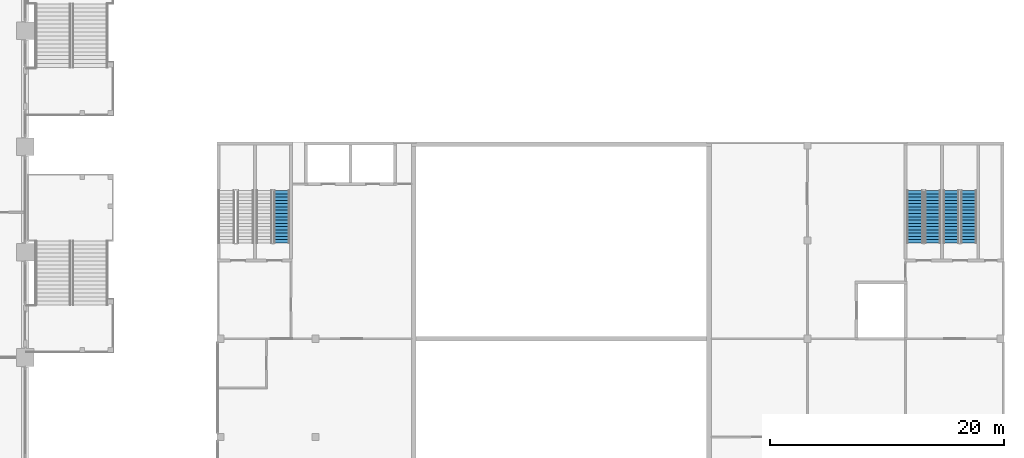
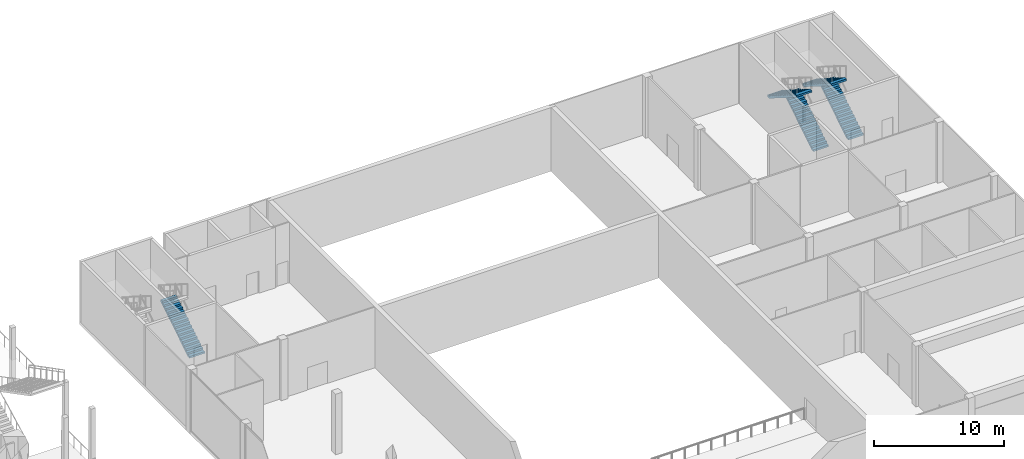
# One storey, part 34 of 49: 5 stair flights, 3 elements without a shape of their own.
"""IFC4 building model written with IfcOpenShell, lengths in metres."""

from ifc_helpers import new_model, si_unit, direction, frame, origin, place, context, subcontext, project, spatial, polyline, outline, extrude, material, type_object, element, aggregate, save


model = new_model("IFC4")

# Units and contexts
model_context = context("Model", 3, precision=1e-05, world=origin(), true_north=direction((0.0, 1.0)))
body_context = subcontext(model_context, "Body", "Model", "MODEL_VIEW")
ifc_project = project(units=[si_unit("LENGTHUNIT", "METRE"), si_unit("AREAUNIT", "SQUARE_METRE"), si_unit("VOLUMEUNIT", "CUBIC_METRE"), si_unit("PLANEANGLEUNIT", "RADIAN"), si_unit("MASSUNIT", "GRAM", prefix="KILO")], contexts=[model_context])

# Site, building, storey
site_placement = place(None, origin())
site = spatial("IfcSite", under=ifc_project, at=site_placement, CompositionType="ELEMENT")
building_placement = place(site_placement, origin())
building = spatial("IfcBuilding", under=site, at=building_placement, Name="Candeia Pilgrim Tower and Theatre", CompositionType="ELEMENT")
storey_placement = place(building_placement, frame((0.0, 0.0, 17.0)))
storey = spatial("IfcBuildingStorey", under=building, at=storey_placement, Name="L02", CompositionType="ELEMENT", Elevation=17.0)

# Stair, stair flight
ifc_material = material(Name="Concrete C35/45", Category="concrete")
stair_type = type_object("IfcStairType", Name="Theatre stair", PredefinedType="HALF_TURN_STAIR", material=ifc_material)
stair_1_placement = place(storey_placement, origin())
stair_1 = element("IfcStair", 1, at=stair_1_placement, inside=storey, type_object=stair_type, Name="L02 Theatre stair S2", PredefinedType="HALF_TURN_STAIR")
stair_flight_type = type_object("IfcStairFlightType", Name="Theatre stair flight", PredefinedType="STRAIGHT", material=ifc_material)
stair_flight_1_placement = place(storey_placement, frame((181.52490234375, 107.77490234375, 0.0), z_axis=(0.0, 0.0, 1.0), x_axis=(0.0, 1.0, 0.0)))
stair_flight_1 = element("IfcStairFlight", 2, at=stair_flight_1_placement, type_object=stair_flight_type, Name="TS2 flight 1", NumberOfRisers=17, NumberOfTreads=16, PredefinedType="STRAIGHT", RiserHeight=0.176470588, TreadLength=0.28, context=body_context, shape_type="SweptSolid", body=[
    extrude(outline(polyline([(0.0, 0.0), (0.0, 0.176513671875), (0.280029296875, 0.176513671875), (0.280029296875, 0.35302734375), (0.56005859375, 0.35302734375), (0.56005859375, 0.529296875), (0.840087890625, 0.529296875), (0.840087890625, 0.705810546875), (1.1201171875, 0.705810546875), (1.1201171875, 0.88232421875), (1.39990234375, 0.88232421875), (1.39990234375, 1.058837890625), (1.679931640625, 1.058837890625), (1.679931640625, 1.2353515625), (1.9599609375, 1.2353515625), (1.9599609375, 1.411865234375), (2.239990234375, 1.411865234375), (2.239990234375, 1.588134765625), (2.52001953125, 1.588134765625), (2.52001953125, 1.7646484375), (2.800048828125, 1.7646484375), (2.800048828125, 1.941162109375), (3.080078125, 1.941162109375), (3.080078125, 2.11767578125), (3.360107421875, 2.11767578125), (3.360107421875, 2.294189453125), (3.639892578125, 2.294189453125), (3.639892578125, 2.470703125), (3.919921875, 2.470703125), (3.919921875, 2.64697265625), (4.199951171875, 2.64697265625), (4.199951171875, 2.823486328125), (4.47998046875, 2.823486328125), (4.47998046875, 3.0), (4.47998046875, 2.646240234375), (0.28125, 0.0), (0.0, 0.0)])), frame((0.0, 0.675048828125, 0.0), z_axis=(0.0, -1.0, 0.0), x_axis=(1.0, 0.0, 0.0)), (0.0, 0.0, 1.0), 1.35009765625),
])
aggregate(stair_1, [stair_flight_1])

# Stair, stair flights
stair_2_placement = place(storey_placement, origin())
stair_2 = element("IfcStair", 3, at=stair_2_placement, inside=storey, type_object=stair_type, Name="L02 Theatre stair S3", PredefinedType="HALF_TURN_STAIR")
stair_flight_2_placement = place(storey_placement, frame((237.10009765625, 107.77490234375, 0.0), z_axis=(0.0, 0.0, 1.0), x_axis=(0.0, 1.0, 0.0)))
stair_flight_2 = element("IfcStairFlight", 4, at=stair_flight_2_placement, type_object=stair_flight_type, Name="TS3 flight 1", NumberOfRisers=17, NumberOfTreads=16, PredefinedType="STRAIGHT", RiserHeight=0.176470588, TreadLength=0.28, context=body_context, shape_type="SweptSolid", body=[
    extrude(outline(polyline([(0.0, 0.0), (0.0, 0.176513671875), (0.280029296875, 0.176513671875), (0.280029296875, 0.35302734375), (0.56005859375, 0.35302734375), (0.56005859375, 0.529296875), (0.840087890625, 0.529296875), (0.840087890625, 0.705810546875), (1.1201171875, 0.705810546875), (1.1201171875, 0.88232421875), (1.39990234375, 0.88232421875), (1.39990234375, 1.058837890625), (1.679931640625, 1.058837890625), (1.679931640625, 1.2353515625), (1.9599609375, 1.2353515625), (1.9599609375, 1.411865234375), (2.239990234375, 1.411865234375), (2.239990234375, 1.588134765625), (2.52001953125, 1.588134765625), (2.52001953125, 1.7646484375), (2.800048828125, 1.7646484375), (2.800048828125, 1.941162109375), (3.080078125, 1.941162109375), (3.080078125, 2.11767578125), (3.360107421875, 2.11767578125), (3.360107421875, 2.294189453125), (3.639892578125, 2.294189453125), (3.639892578125, 2.470703125), (3.919921875, 2.470703125), (3.919921875, 2.64697265625), (4.199951171875, 2.64697265625), (4.199951171875, 2.823486328125), (4.47998046875, 2.823486328125), (4.47998046875, 3.0), (4.47998046875, 2.646240234375), (0.28125, 0.0), (0.0, 0.0)])), frame((0.0, 0.675048828125, 0.0), z_axis=(0.0, -1.0, 0.0), x_axis=(1.0, 0.0, 0.0)), (0.0, 0.0, 1.0), 1.35009765625),
])
stair_flight_3_placement = place(storey_placement, frame((235.60009765625, 112.2548828125, 3.0), z_axis=(0.0, 0.0, 1.0), x_axis=(0.0, -1.0, 0.0)))
stair_flight_3 = element("IfcStairFlight", 5, at=stair_flight_3_placement, type_object=stair_flight_type, Name="TS3 flight 2", NumberOfRisers=17, NumberOfTreads=16, PredefinedType="STRAIGHT", RiserHeight=0.176470588, TreadLength=0.28, context=body_context, shape_type="SweptSolid", body=[
    extrude(outline(polyline([(0.0, 0.0), (0.0, 0.176513671875), (0.280029296875, 0.176513671875), (0.280029296875, 0.35302734375), (0.56005859375, 0.35302734375), (0.56005859375, 0.529296875), (0.840087890625, 0.529296875), (0.840087890625, 0.705810546875), (1.1201171875, 0.705810546875), (1.1201171875, 0.88232421875), (1.39990234375, 0.88232421875), (1.39990234375, 1.058837890625), (1.679931640625, 1.058837890625), (1.679931640625, 1.2353515625), (1.9599609375, 1.2353515625), (1.9599609375, 1.411865234375), (2.239990234375, 1.411865234375), (2.239990234375, 1.588134765625), (2.52001953125, 1.588134765625), (2.52001953125, 1.7646484375), (2.800048828125, 1.7646484375), (2.800048828125, 1.941162109375), (3.080078125, 1.941162109375), (3.080078125, 2.11767578125), (3.360107421875, 2.11767578125), (3.360107421875, 2.294189453125), (3.639892578125, 2.294189453125), (3.639892578125, 2.470703125), (3.919921875, 2.470703125), (3.919921875, 2.64697265625), (4.199951171875, 2.64697265625), (4.199951171875, 2.823486328125), (4.47998046875, 2.823486328125), (4.47998046875, 3.0), (4.47998046875, 2.646240234375), (0.28125, 0.0), (0.0, 0.0)])), frame((0.0, 0.675048828125, 0.0), z_axis=(0.0, -1.0, 0.0), x_axis=(1.0, 0.0, 0.0)), (0.0, 0.0, 1.0), 1.35009765625),
])
aggregate(stair_2, [stair_flight_2, stair_flight_3])

stair_3_placement = place(storey_placement, origin())
stair_3 = element("IfcStair", 6, at=stair_3_placement, inside=storey, type_object=stair_type, Name="L02 Theatre stair S4", PredefinedType="HALF_TURN_STAIR")
stair_flight_4_placement = place(storey_placement, frame((240.199951171875, 107.77490234375, 0.0), z_axis=(0.0, 0.0, 1.0), x_axis=(0.0, 1.0, 0.0)))
stair_flight_4 = element("IfcStairFlight", 7, at=stair_flight_4_placement, type_object=stair_flight_type, Name="TS4 flight 1", NumberOfRisers=17, NumberOfTreads=16, PredefinedType="STRAIGHT", RiserHeight=0.176470588, TreadLength=0.28, context=body_context, shape_type="SweptSolid", body=[
    extrude(outline(polyline([(0.0, 0.0), (0.0, 0.176513671875), (0.280029296875, 0.176513671875), (0.280029296875, 0.35302734375), (0.56005859375, 0.35302734375), (0.56005859375, 0.529296875), (0.840087890625, 0.529296875), (0.840087890625, 0.705810546875), (1.1201171875, 0.705810546875), (1.1201171875, 0.88232421875), (1.39990234375, 0.88232421875), (1.39990234375, 1.058837890625), (1.679931640625, 1.058837890625), (1.679931640625, 1.2353515625), (1.9599609375, 1.2353515625), (1.9599609375, 1.411865234375), (2.239990234375, 1.411865234375), (2.239990234375, 1.588134765625), (2.52001953125, 1.588134765625), (2.52001953125, 1.7646484375), (2.800048828125, 1.7646484375), (2.800048828125, 1.941162109375), (3.080078125, 1.941162109375), (3.080078125, 2.11767578125), (3.360107421875, 2.11767578125), (3.360107421875, 2.294189453125), (3.639892578125, 2.294189453125), (3.639892578125, 2.470703125), (3.919921875, 2.470703125), (3.919921875, 2.64697265625), (4.199951171875, 2.64697265625), (4.199951171875, 2.823486328125), (4.47998046875, 2.823486328125), (4.47998046875, 3.0), (4.47998046875, 2.646240234375), (0.28125, 0.0), (0.0, 0.0)])), frame((0.0, 0.675048828125, 0.0), z_axis=(0.0, -1.0, 0.0), x_axis=(1.0, 0.0, 0.0)), (0.0, 0.0, 1.0), 1.35009765625),
])
stair_flight_5_placement = place(storey_placement, frame((238.699951171875, 112.2548828125, 3.0), z_axis=(0.0, 0.0, 1.0), x_axis=(0.0, -1.0, 0.0)))
stair_flight_5 = element("IfcStairFlight", 8, at=stair_flight_5_placement, type_object=stair_flight_type, Name="TS4 flight 2", NumberOfRisers=17, NumberOfTreads=16, PredefinedType="STRAIGHT", RiserHeight=0.176470588, TreadLength=0.28, context=body_context, shape_type="SweptSolid", body=[
    extrude(outline(polyline([(0.0, 0.0), (0.0, 0.176513671875), (0.280029296875, 0.176513671875), (0.280029296875, 0.35302734375), (0.56005859375, 0.35302734375), (0.56005859375, 0.529296875), (0.840087890625, 0.529296875), (0.840087890625, 0.705810546875), (1.1201171875, 0.705810546875), (1.1201171875, 0.88232421875), (1.39990234375, 0.88232421875), (1.39990234375, 1.058837890625), (1.679931640625, 1.058837890625), (1.679931640625, 1.2353515625), (1.9599609375, 1.2353515625), (1.9599609375, 1.411865234375), (2.239990234375, 1.411865234375), (2.239990234375, 1.588134765625), (2.52001953125, 1.588134765625), (2.52001953125, 1.7646484375), (2.800048828125, 1.7646484375), (2.800048828125, 1.941162109375), (3.080078125, 1.941162109375), (3.080078125, 2.11767578125), (3.360107421875, 2.11767578125), (3.360107421875, 2.294189453125), (3.639892578125, 2.294189453125), (3.639892578125, 2.470703125), (3.919921875, 2.470703125), (3.919921875, 2.64697265625), (4.199951171875, 2.64697265625), (4.199951171875, 2.823486328125), (4.47998046875, 2.823486328125), (4.47998046875, 3.0), (4.47998046875, 2.646240234375), (0.28125, 0.0), (0.0, 0.0)])), frame((0.0, 0.675048828125, 0.0), z_axis=(0.0, -1.0, 0.0), x_axis=(1.0, 0.0, 0.0)), (0.0, 0.0, 1.0), 1.35009765625),
])
aggregate(stair_3, [stair_flight_4, stair_flight_5])

save(model, "model.ifc")
